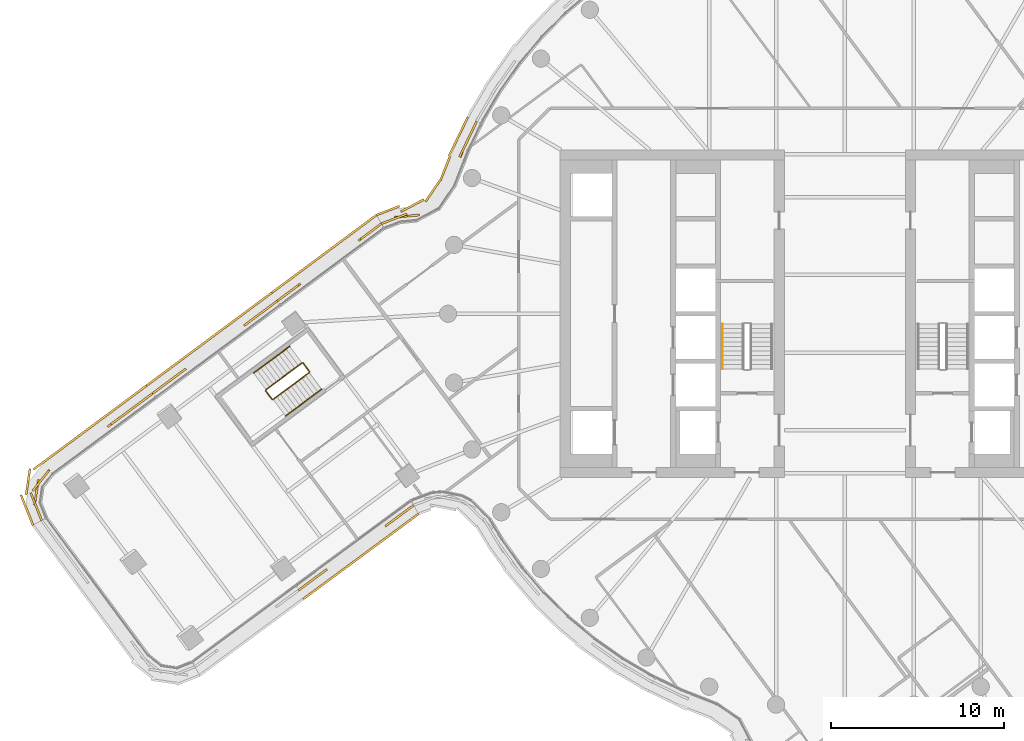
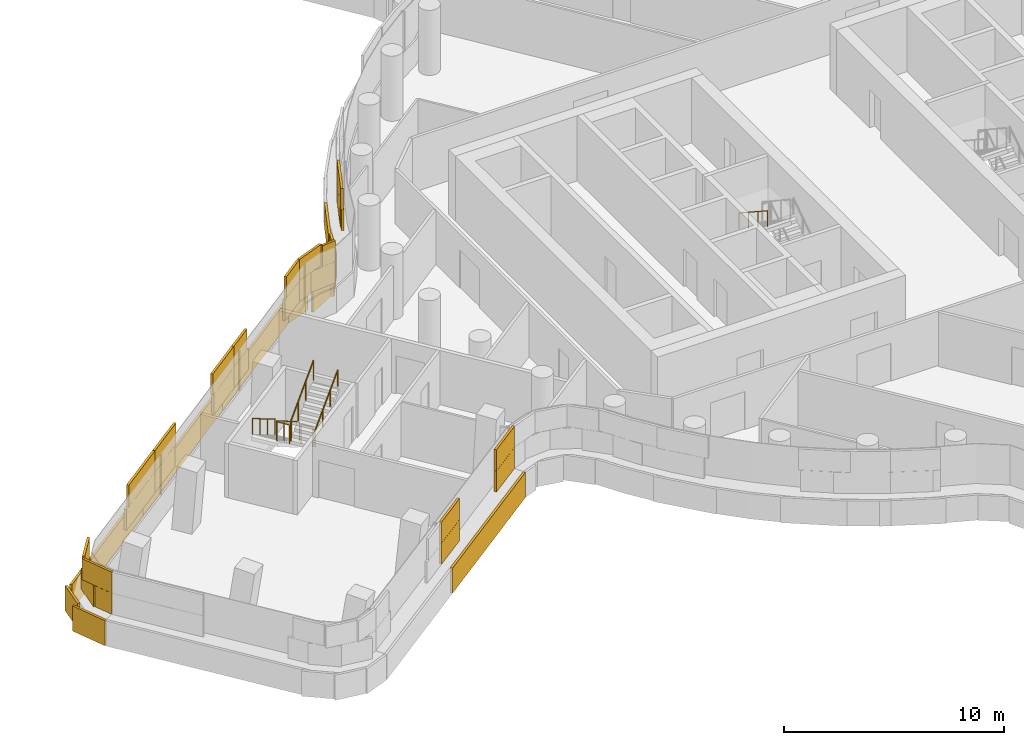
# One storey, part 28 of 32: 7 railings, 5 coverings.
"""IFC4 building model written with IfcOpenShell, lengths in metres."""

from ifc_helpers import new_model, si_unit, direction, frame, origin, origin_2d, place, context, subcontext, project, spatial, rectangle, circle, extrude, material, layer, layer_set, type_object, element, save


model = new_model("IFC4")

# Units and contexts
model_context = context("Model", 3, precision=1e-05, world=origin(), true_north=direction((0.0, 1.0)))
body_context = subcontext(model_context, "Body", "Model", "MODEL_VIEW")
ifc_project = project(units=[si_unit("LENGTHUNIT", "METRE"), si_unit("AREAUNIT", "SQUARE_METRE"), si_unit("VOLUMEUNIT", "CUBIC_METRE"), si_unit("PLANEANGLEUNIT", "RADIAN"), si_unit("MASSUNIT", "GRAM", prefix="KILO")], contexts=[model_context])

# Site, building, storey
site_placement = place(None, origin())
site = spatial("IfcSite", under=ifc_project, at=site_placement, CompositionType="ELEMENT")
building_placement = place(site_placement, origin())
building = spatial("IfcBuilding", under=site, at=building_placement, Name="Tamarind Cross Interchange Tower", CompositionType="ELEMENT")
storey_placement = place(building_placement, frame((0.0, 0.0, 166.75)))
storey = spatial("IfcBuildingStorey", under=building, at=storey_placement, Name="L41", CompositionType="ELEMENT", Elevation=166.75)

# Railings
ifc_material_1 = material(Name="Stair guard")
railing_type_1 = type_object("IfcRailingType", Name="Stair guard", PredefinedType="GUARDRAIL", material=ifc_material_1)
railing_1_placement = place(storey_placement, frame((-31.465087890625, -2.85009765625, 0.17041015625)))
element("IfcRailing", 1, at=railing_1_placement, inside=storey, type_object=railing_type_1, Name="L41 ST5 stair guard 1", PredefinedType="GUARDRAIL", context=body_context, shape_type="SweptSolid", body=[
    extrude(circle(Radius=0.02392578125, at=origin_2d()), frame((0.0, 0.0, 1.076171875), z_axis=(-0.671653146328, -0.498262505957, 0.548285077477), x_axis=(0.595800035821, -0.803132814244, 0.0)), (0.0, 0.0, 1.0), 3.10888671875),
    extrude(circle(Radius=0.02099609375, at=origin_2d()), origin(), (0.0, 0.0, 1.0), 1.052001953125),
    extrude(circle(Radius=0.02099609375, at=origin_2d()), frame((-0.696044921875, -0.516357421875, 0.568115234375)), (0.0, 0.0, 1.0), 1.052001953125),
    extrude(circle(Radius=0.02099609375, at=origin_2d()), frame((-1.39208984375, -1.03271484375, 1.136474609375)), (0.0, 0.0, 1.0), 1.052001953125),
    extrude(circle(Radius=0.02099609375, at=origin_2d()), frame((-2.088134765625, -1.549072265625, 1.70458984375)), (0.0, 0.0, 1.0), 1.052001953125),
])
railing_2_placement = place(storey_placement, frame((-33.563720703125, -4.46923828125, 1.875)))
element("IfcRailing", 2, at=railing_2_placement, inside=storey, type_object=railing_type_1, Name="L41 ST5 stair guard 2", PredefinedType="GUARDRAIL", context=body_context, shape_type="SweptSolid", body=[
    extrude(circle(Radius=0.02392578125, at=origin_2d()), frame((0.0, 0.0, 1.076171875), z_axis=(0.595889265204, -0.80306661219, 0.0), x_axis=(0.80306661219, 0.595889265204, 0.0)), (0.0, 0.0, 1.0), 0.599853515625),
    extrude(circle(Radius=0.02099609375, at=origin_2d()), origin(), (0.0, 0.0, 1.0), 1.052001953125),
    extrude(circle(Radius=0.02099609375, at=origin_2d()), frame((0.357421875, -0.481689453125, 0.0)), (0.0, 0.0, 1.0), 1.052001953125),
])
railing_3_placement = place(storey_placement, frame((-33.13623046875, -4.96142578125, 2.04541015625)))
element("IfcRailing", 3, at=railing_3_placement, inside=storey, type_object=railing_type_1, Name="L41 ST5 stair guard 3", PredefinedType="GUARDRAIL", context=body_context, shape_type="SweptSolid", body=[
    extrude(circle(Radius=0.02392578125, at=origin_2d()), frame((0.0, 0.0, 1.076171875), z_axis=(0.671653146328, 0.498262505957, 0.548285077477), x_axis=(-0.595800035821, 0.803132814244, 0.0)), (0.0, 0.0, 1.0), 3.10888671875),
    extrude(circle(Radius=0.02099609375, at=origin_2d()), origin(), (0.0, 0.0, 1.0), 1.052001953125),
    extrude(circle(Radius=0.02099609375, at=origin_2d()), frame((0.696044921875, 0.516357421875, 0.568115234375)), (0.0, 0.0, 1.0), 1.052001953125),
    extrude(circle(Radius=0.02099609375, at=origin_2d()), frame((1.39208984375, 1.03271484375, 1.136474609375)), (0.0, 0.0, 1.0), 1.052001953125),
    extrude(circle(Radius=0.02099609375, at=origin_2d()), frame((2.088134765625, 1.549072265625, 1.70458984375)), (0.0, 0.0, 1.0), 1.052001953125),
])
railing_4_placement = place(storey_placement, frame((-31.395263671875, -2.860595703125, 0.0)))
element("IfcRailing", 4, at=railing_4_placement, inside=storey, type_object=railing_type_1, Name="L41 ST5 stair guard 4", PredefinedType="GUARDRAIL", context=body_context, shape_type="SweptSolid", body=[
    extrude(circle(Radius=0.02392578125, at=origin_2d()), frame((0.0, 0.0, 1.076171875), z_axis=(0.595694532571, -0.803211070557, 0.0), x_axis=(0.803211070557, 0.595694532571, 0.0)), (0.0, 0.0, 1.0), 0.60009765625),
    extrude(circle(Radius=0.02099609375, at=origin_2d()), origin(), (0.0, 0.0, 1.0), 1.052001953125),
    extrude(circle(Radius=0.02099609375, at=origin_2d()), frame((0.357421875, -0.48193359375, 0.0)), (0.0, 0.0, 1.0), 1.052001953125),
])
ifc_material_2 = material(Name="Stair handrail")
railing_type_2 = type_object("IfcRailingType", Name="Stair handrail", PredefinedType="HANDRAIL", material=ifc_material_2)
railing_5_placement = place(storey_placement, frame((-7.10009765625, -0.60009765625, 2.04541015625)))
element("IfcRailing", 5, at=railing_5_placement, inside=storey, type_object=railing_type_2, Name="L41 ST1 stair handrail 2", PredefinedType="HANDRAIL", context=body_context, shape_type="SweptSolid", body=[
    extrude(circle(Radius=0.02392578125, at=origin_2d()), frame((0.0, 0.0, 0.8759765625), z_axis=(0.0, -0.836278606002, 0.548304744775), x_axis=(1.0, 0.0, 0.0)), (0.0, 0.0, 1.0), 3.10888671875),
    extrude(circle(Radius=0.02099609375, at=origin_2d()), origin(), (0.0, 0.0, 1.0), 0.851806640625),
    extrude(circle(Radius=0.02099609375, at=origin_2d()), frame((0.0, -0.86669921875, 0.568115234375)), (0.0, 0.0, 1.0), 0.851806640625),
    extrude(circle(Radius=0.02099609375, at=origin_2d()), frame((0.0, -1.733154296875, 1.136474609375)), (0.0, 0.0, 1.0), 0.851806640625),
    extrude(circle(Radius=0.02099609375, at=origin_2d()), frame((0.0, -2.599853515625, 1.70458984375)), (0.0, 0.0, 1.0), 0.851806640625),
])
railing_6_placement = place(storey_placement, frame((-32.18017578125, -1.886474609375, 0.17041015625)))
element("IfcRailing", 6, at=railing_6_placement, inside=storey, type_object=railing_type_2, Name="L41 ST5 stair handrail 1", PredefinedType="HANDRAIL", context=body_context, shape_type="SweptSolid", body=[
    extrude(circle(Radius=0.02392578125, at=origin_2d()), frame((0.0, 0.0, 0.8759765625), z_axis=(-0.671679426071, -0.49820347001, 0.548306530203), x_axis=(0.595739462681, -0.803177746582, 0.0)), (0.0, 0.0, 1.0), 3.10888671875),
    extrude(circle(Radius=0.02099609375, at=origin_2d()), origin(), (0.0, 0.0, 1.0), 0.851806640625),
    extrude(circle(Radius=0.02099609375, at=origin_2d()), frame((-0.696044921875, -0.516357421875, 0.568115234375)), (0.0, 0.0, 1.0), 0.851806640625),
    extrude(circle(Radius=0.02099609375, at=origin_2d()), frame((-1.39208984375, -1.032470703125, 1.136474609375)), (0.0, 0.0, 1.0), 0.851806640625),
    extrude(circle(Radius=0.02099609375, at=origin_2d()), frame((-2.088134765625, -1.548828125, 1.70458984375)), (0.0, 0.0, 1.0), 0.851806640625),
])
railing_7_placement = place(storey_placement, frame((-32.42138671875, -5.92529296875, 2.04541015625)))
element("IfcRailing", 7, at=railing_7_placement, inside=storey, type_object=railing_type_2, Name="L41 ST5 stair handrail 2", PredefinedType="HANDRAIL", context=body_context, shape_type="SweptSolid", body=[
    extrude(circle(Radius=0.02392578125, at=origin_2d()), frame((0.0, 0.0, 0.8759765625), z_axis=(0.671653146328, 0.498262505957, 0.548285077477), x_axis=(-0.595800035821, 0.803132814244, 0.0)), (0.0, 0.0, 1.0), 3.10888671875),
    extrude(circle(Radius=0.02099609375, at=origin_2d()), origin(), (0.0, 0.0, 1.0), 0.851806640625),
    extrude(circle(Radius=0.02099609375, at=origin_2d()), frame((0.696044921875, 0.516357421875, 0.568115234375)), (0.0, 0.0, 1.0), 0.851806640625),
    extrude(circle(Radius=0.02099609375, at=origin_2d()), frame((1.39208984375, 1.03271484375, 1.136474609375)), (0.0, 0.0, 1.0), 0.851806640625),
    extrude(circle(Radius=0.02099609375, at=origin_2d()), frame((2.088134765625, 1.549072265625, 1.70458984375)), (0.0, 0.0, 1.0), 0.851806640625),
])

# Coverings
ifc_material_3 = material(Name="Terracotta", Category="masonry")
ifc_layer = layer(ifc_material_3, 0.1201171875)
ifc_layer_set = layer_set([ifc_layer], Name="Terracotta")
covering_type = type_object("IfcCoveringType", Name="Terracotta baguette screen unit", PredefinedType="MOLDING", material=ifc_layer_set)
covering_1_placement = place(storey_placement, origin())
element("IfcCovering", 8, at=covering_1_placement, inside=storey, type_object=covering_type, Name="SCR-L41-06-01", PredefinedType="MOLDING", context=body_context, shape_type="SweptSolid", body=[
    extrude(rectangle(XDim=0.433349609375, YDim=0.1201171875, at=origin_2d()), frame((-21.4404296875, 10.941650390625, 1.404052734375), z_axis=(0.0, 0.0, 1.0), x_axis=(-0.435326231914, -0.900272776334, 0.0)), (0.0, 0.0, 1.0), 1.1669921875),
    extrude(rectangle(XDim=1.52001953125, YDim=0.1201171875, at=origin_2d()), frame((-21.859130859375, 10.075927734375, 1.404052734375), z_axis=(0.0, 0.0, 1.0), x_axis=(-0.435326231914, -0.900272776334, 0.0)), (0.0, 0.0, 1.0), 1.1669921875),
    extrude(rectangle(XDim=0.3603515625, YDim=0.1201171875, at=origin_2d()), frame((-22.2353515625, 9.2314453125, 1.404052734375), z_axis=(0.0, 0.0, 1.0), x_axis=(-0.364846401733, -0.931067722103, 0.0)), (0.0, 0.0, 1.0), 1.1669921875),
    extrude(rectangle(XDim=1.45947265625, YDim=0.1201171875, at=origin_2d()), frame((-25.38720703125, 5.656005859375, 1.404052734375), z_axis=(0.0, 0.0, 1.0), x_axis=(-0.995868287026, -0.090809442771, 0.0)), (0.0, 0.0, 1.0), 1.1669921875),
    extrude(rectangle(XDim=0.834228515625, YDim=0.1201171875, at=origin_2d()), frame((-26.4765625, 5.368408203125, 1.404052734375), z_axis=(0.0, 0.0, 1.0), x_axis=(-0.934272399996, -0.35656006872, 0.0)), (0.0, 0.0, 1.0), 1.1669921875),
    extrude(rectangle(XDim=1.183349609375, YDim=0.1201171875, at=origin_2d()), frame((-21.603759765625, 10.60400390625, 2.5791015625), z_axis=(0.0, 0.0, 1.0), x_axis=(-0.435326231914, -0.900272776334, 0.0)), (0.0, 0.0, 1.0), 1.1669921875),
    extrude(rectangle(XDim=1.1103515625, YDim=0.1201171875, at=origin_2d()), frame((-22.0986328125, 9.58056640625, 2.5791015625), z_axis=(0.0, 0.0, 1.0), x_axis=(-0.435326231914, -0.900272776334, 0.0)), (0.0, 0.0, 1.0), 1.1669921875),
    extrude(rectangle(XDim=0.70947265625, YDim=0.1201171875, at=origin_2d()), frame((-25.013671875, 5.68994140625, 2.5791015625), z_axis=(0.0, 0.0, 1.0), x_axis=(-0.995868287026, -0.090809442771, 0.0)), (0.0, 0.0, 1.0), 1.1669921875),
    extrude(rectangle(XDim=1.52001953125, YDim=0.1201171875, at=origin_2d()), frame((-26.091552734375, 5.515380859375, 2.5791015625), z_axis=(0.0, 0.0, 1.0), x_axis=(-0.934272399996, -0.35656006872, 0.0)), (0.0, 0.0, 1.0), 1.1669921875),
    extrude(rectangle(XDim=0.084228515625, YDim=0.1201171875, at=origin_2d()), frame((-26.826904296875, 5.234619140625, 2.5791015625), z_axis=(0.0, 0.0, 1.0), x_axis=(-0.934272399996, -0.35656006872, 0.0)), (0.0, 0.0, 1.0), 1.1669921875),
    extrude(rectangle(XDim=1.000732421875, YDim=0.1201171875, at=origin_2d()), frame((-22.0751953125, 10.947509765625, 0.00390625), z_axis=(0.0, 0.0, 1.0), x_axis=(-0.435326231914, -0.900272776334, 0.0)), (0.0, 0.0, 1.0), 1.39208984375),
    extrude(rectangle(XDim=1.52001953125, YDim=0.1201171875, at=origin_2d()), frame((-22.615234375, 9.830810546875, 0.00390625), z_axis=(0.0, 0.0, 1.0), x_axis=(-0.435326231914, -0.900272776334, 0.0)), (0.0, 0.0, 1.0), 1.39208984375),
    extrude(rectangle(XDim=1.52001953125, YDim=0.1201171875, at=origin_2d()), frame((-23.1640625, 8.434814453125, 0.00390625), z_axis=(0.0, 0.0, 1.0), x_axis=(-0.364846401733, -0.931067722103, 0.0)), (0.0, 0.0, 1.0), 1.39208984375),
    extrude(rectangle(XDim=1.52001953125, YDim=0.1201171875, at=origin_2d()), frame((-23.880126953125, 7.127685546875, 0.00390625), z_axis=(0.0, 0.0, 1.0), x_axis=(-0.564663579204, -0.825321175253, 0.0)), (0.0, 0.0, 1.0), 1.39208984375),
    extrude(rectangle(XDim=1.52001953125, YDim=0.1201171875, at=origin_2d()), frame((-25.068115234375, 6.27099609375, 0.00390625), z_axis=(0.0, 0.0, 1.0), x_axis=(-0.883122112078, -0.469143192596, 0.0)), (0.0, 0.0, 1.0), 1.39208984375),
    extrude(rectangle(XDim=1.421630859375, YDim=0.1201171875, at=origin_2d()), frame((-26.47607421875, 5.98291015625, 0.00390625), z_axis=(0.0, 0.0, 1.0), x_axis=(-0.934272399996, -0.35656006872, 0.0)), (0.0, 0.0, 1.0), 1.39208984375),
])
covering_2_placement = place(storey_placement, origin())
element("IfcCovering", 9, at=covering_2_placement, inside=storey, type_object=covering_type, Name="SCR-L41-07-00", PredefinedType="MOLDING", context=body_context, shape_type="SweptSolid", body=[
    extrude(rectangle(XDim=0.760009765625, YDim=0.1201171875, at=origin_2d()), frame((-27.162841796875, 4.998046875, 1.404052734375), z_axis=(0.0, 0.0, 1.0), x_axis=(-0.803150344752, -0.595776404136, 0.0)), (0.0, 0.0, 1.0), 1.1669921875),
    extrude(rectangle(XDim=0.91064453125, YDim=0.1201171875, at=origin_2d()), frame((-27.82568359375, 4.50634765625, 1.404052734375), z_axis=(0.0, 0.0, 1.0), x_axis=(-0.803150344752, -0.595776404136, 0.0)), (0.0, 0.0, 1.0), 1.1669921875),
    extrude(rectangle(XDim=0.909423828125, YDim=0.1201171875, at=origin_2d()), frame((-31.921630859375, 1.4677734375, 1.404052734375), z_axis=(0.0, 0.0, 1.0), x_axis=(-0.803150344752, -0.595776404136, 0.0)), (0.0, 0.0, 1.0), 1.1669921875),
    extrude(rectangle(XDim=0.761474609375, YDim=0.1201171875, at=origin_2d()), frame((-32.584716796875, 0.97607421875, 1.404052734375), z_axis=(0.0, 0.0, 1.0), x_axis=(-0.803150344752, -0.595776404136, 0.0)), (0.0, 0.0, 1.0), 1.1669921875),
    extrude(rectangle(XDim=1.510009765625, YDim=0.1201171875, at=origin_2d()), frame((-27.4638671875, 4.774658203125, 2.5791015625), z_axis=(0.0, 0.0, 1.0), x_axis=(-0.803150344752, -0.595776404136, 0.0)), (0.0, 0.0, 1.0), 1.1669921875),
    extrude(rectangle(XDim=1.52001953125, YDim=0.1201171875, at=origin_2d()), frame((-32.282958984375, 1.199951171875, 2.5791015625), z_axis=(0.0, 0.0, 1.0), x_axis=(-0.803150344752, -0.595776404136, 0.0)), (0.0, 0.0, 1.0), 1.1669921875),
    extrude(rectangle(XDim=0.760009765625, YDim=0.1201171875, at=origin_2d()), frame((-27.4453125, 5.503173828125, 0.00390625), z_axis=(0.0, 0.0, 1.0), x_axis=(-0.803150344752, -0.595776404136, 0.0)), (0.0, 0.0, 1.0), 1.39208984375),
    extrude(rectangle(XDim=1.52001953125, YDim=0.1201171875, at=origin_2d()), frame((-28.3447265625, 4.8359375, 0.00390625), z_axis=(0.0, 0.0, 1.0), x_axis=(-0.803150344752, -0.595776404136, 0.0)), (0.0, 0.0, 1.0), 1.39208984375),
    extrude(rectangle(XDim=1.52001953125, YDim=0.1201171875, at=origin_2d()), frame((-29.549560546875, 3.942138671875, 0.00390625), z_axis=(0.0, 0.0, 1.0), x_axis=(-0.803150344752, -0.595776404136, 0.0)), (0.0, 0.0, 1.0), 1.39208984375),
    extrude(rectangle(XDim=1.52001953125, YDim=0.1201171875, at=origin_2d()), frame((-30.75439453125, 3.048583984375, 0.00390625), z_axis=(0.0, 0.0, 1.0), x_axis=(-0.803150344752, -0.595776404136, 0.0)), (0.0, 0.0, 1.0), 1.39208984375),
    extrude(rectangle(XDim=1.52001953125, YDim=0.1201171875, at=origin_2d()), frame((-31.958984375, 2.15478515625, 0.00390625), z_axis=(0.0, 0.0, 1.0), x_axis=(-0.803150344752, -0.595776404136, 0.0)), (0.0, 0.0, 1.0), 1.39208984375),
    extrude(rectangle(XDim=0.809814453125, YDim=0.1201171875, at=origin_2d()), frame((-32.87841796875, 1.47265625, 0.00390625), z_axis=(0.0, 0.0, 1.0), x_axis=(-0.803150344752, -0.595776404136, 0.0)), (0.0, 0.0, 1.0), 1.39208984375),
])
covering_3_placement = place(storey_placement, origin())
element("IfcCovering", 10, at=covering_3_placement, inside=storey, type_object=covering_type, Name="SCR-L41-07-01", PredefinedType="MOLDING", context=body_context, shape_type="SweptSolid", body=[
    extrude(rectangle(XDim=0.758544921875, YDim=0.1201171875, at=origin_2d()), frame((-33.18701171875, 0.529296875, 1.404052734375), z_axis=(0.0, 0.0, 1.0), x_axis=(-0.803150344752, -0.595776404136, 0.0)), (0.0, 0.0, 1.0), 1.1669921875),
    extrude(rectangle(XDim=1.52001953125, YDim=0.1201171875, at=origin_2d()), frame((-34.08984375, -0.140625, 1.404052734375), z_axis=(0.0, 0.0, 1.0), x_axis=(-0.803150344752, -0.595776404136, 0.0)), (0.0, 0.0, 1.0), 1.1669921875),
    extrude(rectangle(XDim=1.52001953125, YDim=0.1201171875, at=origin_2d()), frame((-38.908935546875, -3.71533203125, 1.404052734375), z_axis=(0.0, 0.0, 1.0), x_axis=(-0.803150344752, -0.595776404136, 0.0)), (0.0, 0.0, 1.0), 1.1669921875),
    extrude(rectangle(XDim=0.7705078125, YDim=0.1201171875, at=origin_2d()), frame((-39.816650390625, -4.388671875, 1.404052734375), z_axis=(0.0, 0.0, 1.0), x_axis=(-0.803150344752, -0.595776404136, 0.0)), (0.0, 0.0, 1.0), 1.1669921875),
    extrude(rectangle(XDim=1.508544921875, YDim=0.1201171875, at=origin_2d()), frame((-33.488037109375, 0.305908203125, 2.5791015625), z_axis=(0.0, 0.0, 1.0), x_axis=(-0.803150344752, -0.595776404136, 0.0)), (0.0, 0.0, 1.0), 1.1669921875),
    extrude(rectangle(XDim=0.916015625, YDim=0.1201171875, at=origin_2d()), frame((-34.453857421875, -0.410400390625, 2.5791015625), z_axis=(0.0, 0.0, 1.0), x_axis=(-0.803150344752, -0.595776404136, 0.0)), (0.0, 0.0, 1.0), 1.1669921875),
    extrude(rectangle(XDim=0.904052734375, YDim=0.1201171875, at=origin_2d()), frame((-38.5498046875, -3.448974609375, 2.5791015625), z_axis=(0.0, 0.0, 1.0), x_axis=(-0.803150344752, -0.595776404136, 0.0)), (0.0, 0.0, 1.0), 1.1669921875),
    extrude(rectangle(XDim=1.52001953125, YDim=0.1201171875, at=origin_2d()), frame((-39.51123046875, -4.162109375, 2.5791015625), z_axis=(0.0, 0.0, 1.0), x_axis=(-0.803150344752, -0.595776404136, 0.0)), (0.0, 0.0, 1.0), 1.1669921875),
    extrude(rectangle(XDim=0.710205078125, YDim=0.1201171875, at=origin_2d()), frame((-33.489013671875, 1.02001953125, 0.00390625), z_axis=(0.0, 0.0, 1.0), x_axis=(-0.803150344752, -0.595776404136, 0.0)), (0.0, 0.0, 1.0), 1.39208984375),
    extrude(rectangle(XDim=1.52001953125, YDim=0.1201171875, at=origin_2d()), frame((-34.368408203125, 0.367431640625, 0.00390625), z_axis=(0.0, 0.0, 1.0), x_axis=(-0.803150344752, -0.595776404136, 0.0)), (0.0, 0.0, 1.0), 1.39208984375),
    extrude(rectangle(XDim=1.52001953125, YDim=0.1201171875, at=origin_2d()), frame((-35.5732421875, -0.526123046875, 0.00390625), z_axis=(0.0, 0.0, 1.0), x_axis=(-0.803150344752, -0.595776404136, 0.0)), (0.0, 0.0, 1.0), 1.39208984375),
    extrude(rectangle(XDim=1.52001953125, YDim=0.1201171875, at=origin_2d()), frame((-36.77783203125, -1.419921875, 0.00390625), z_axis=(0.0, 0.0, 1.0), x_axis=(-0.803150344752, -0.595776404136, 0.0)), (0.0, 0.0, 1.0), 1.39208984375),
    extrude(rectangle(XDim=1.52001953125, YDim=0.1201171875, at=origin_2d()), frame((-37.982666015625, -2.3134765625, 0.00390625), z_axis=(0.0, 0.0, 1.0), x_axis=(-0.803150344752, -0.595776404136, 0.0)), (0.0, 0.0, 1.0), 1.39208984375),
    extrude(rectangle(XDim=1.52001953125, YDim=0.1201171875, at=origin_2d()), frame((-39.187255859375, -3.207275390625, 0.00390625), z_axis=(0.0, 0.0, 1.0), x_axis=(-0.803150344752, -0.595776404136, 0.0)), (0.0, 0.0, 1.0), 1.39208984375),
    extrude(rectangle(XDim=0.876953125, YDim=0.1201171875, at=origin_2d()), frame((-40.1337890625, -3.9091796875, 0.00390625), z_axis=(0.0, 0.0, 1.0), x_axis=(-0.803150344752, -0.595776404136, 0.0)), (0.0, 0.0, 1.0), 1.39208984375),
])
covering_4_placement = place(storey_placement, origin())
element("IfcCovering", 11, at=covering_4_placement, inside=storey, type_object=covering_type, Name="SCR-L41-07-02", PredefinedType="MOLDING", context=body_context, shape_type="SweptSolid", body=[
    extrude(rectangle(XDim=0.74951171875, YDim=0.1201171875, at=origin_2d()), frame((-40.4189453125, -4.83544921875, 1.404052734375), z_axis=(0.0, 0.0, 1.0), x_axis=(-0.803150344752, -0.595776404136, 0.0)), (0.0, 0.0, 1.0), 1.1669921875),
    extrude(rectangle(XDim=1.52001953125, YDim=0.1201171875, at=origin_2d()), frame((-41.318359375, -5.502685546875, 1.404052734375), z_axis=(0.0, 0.0, 1.0), x_axis=(-0.803150344752, -0.595776404136, 0.0)), (0.0, 0.0, 1.0), 1.1669921875),
    extrude(rectangle(XDim=1.017822265625, YDim=0.1201171875, at=origin_2d()), frame((-42.325439453125, -6.24951171875, 1.404052734375), z_axis=(0.0, 0.0, 1.0), x_axis=(-0.803150344752, -0.595776404136, 0.0)), (0.0, 0.0, 1.0), 1.1669921875),
    extrude(rectangle(XDim=0.80224609375, YDim=0.1201171875, at=origin_2d()), frame((-46.353515625, -9.3583984375, 1.404052734375), z_axis=(0.0, 0.0, 1.0), x_axis=(-0.621585380376, -0.783346420751, 0.0)), (0.0, 0.0, 1.0), 1.1669921875),
    extrude(rectangle(XDim=1.52001953125, YDim=0.1201171875, at=origin_2d()), frame((-46.852294921875, -10.3486328125, 1.404052734375), z_axis=(0.0, 0.0, 1.0), x_axis=(-0.146635519651, -0.989190590522, 0.0)), (0.0, 0.0, 1.0), 1.1669921875),
    extrude(rectangle(XDim=0.965087890625, YDim=0.1201171875, at=origin_2d()), frame((-46.72705078125, -11.52783203125, 1.404052734375), z_axis=(0.0, 0.0, 1.0), x_axis=(0.367605210146, -0.929981940402, 0.0)), (0.0, 0.0, 1.0), 1.1669921875),
    extrude(rectangle(XDim=1.49951171875, YDim=0.1201171875, at=origin_2d()), frame((-40.72021484375, -5.058837890625, 2.5791015625), z_axis=(0.0, 0.0, 1.0), x_axis=(-0.803150344752, -0.595776404136, 0.0)), (0.0, 0.0, 1.0), 1.1669921875),
    extrude(rectangle(XDim=1.52001953125, YDim=0.1201171875, at=origin_2d()), frame((-41.920654296875, -5.949462890625, 2.5791015625), z_axis=(0.0, 0.0, 1.0), x_axis=(-0.803150344752, -0.595776404136, 0.0)), (0.0, 0.0, 1.0), 1.1669921875),
    extrude(rectangle(XDim=1.52001953125, YDim=0.1201171875, at=origin_2d()), frame((-46.599609375, -9.668701171875, 2.5791015625), z_axis=(0.0, 0.0, 1.0), x_axis=(-0.621585380376, -0.783346420751, 0.0)), (0.0, 0.0, 1.0), 1.1669921875),
    extrude(rectangle(XDim=1.52001953125, YDim=0.1201171875, at=origin_2d()), frame((-46.902587890625, -11.083740234375, 2.5791015625), z_axis=(0.0, 0.0, 1.0), x_axis=(0.367605210146, -0.929981940402, 0.0)), (0.0, 0.0, 1.0), 1.1669921875),
    extrude(rectangle(XDim=0.215087890625, YDim=0.1201171875, at=origin_2d()), frame((-46.589111328125, -11.876708984375, 2.5791015625), z_axis=(0.0, 0.0, 1.0), x_axis=(0.367605210146, -0.929981940402, 0.0)), (0.0, 0.0, 1.0), 1.1669921875),
    extrude(rectangle(XDim=0.64306640625, YDim=0.1201171875, at=origin_2d()), frame((-40.744140625, -4.362060546875, 0.00390625), z_axis=(0.0, 0.0, 1.0), x_axis=(-0.803150344752, -0.595776404136, 0.0)), (0.0, 0.0, 1.0), 1.39208984375),
    extrude(rectangle(XDim=1.52001953125, YDim=0.1201171875, at=origin_2d()), frame((-41.596923828125, -4.994384765625, 0.00390625), z_axis=(0.0, 0.0, 1.0), x_axis=(-0.803150344752, -0.595776404136, 0.0)), (0.0, 0.0, 1.0), 1.39208984375),
    extrude(rectangle(XDim=1.52001953125, YDim=0.1201171875, at=origin_2d()), frame((-42.801513671875, -5.88818359375, 0.00390625), z_axis=(0.0, 0.0, 1.0), x_axis=(-0.803150344752, -0.595776404136, 0.0)), (0.0, 0.0, 1.0), 1.39208984375),
    extrude(rectangle(XDim=1.52001953125, YDim=0.1201171875, at=origin_2d()), frame((-44.00634765625, -6.78173828125, 0.00390625), z_axis=(0.0, 0.0, 1.0), x_axis=(-0.803150344752, -0.595776404136, 0.0)), (0.0, 0.0, 1.0), 1.39208984375),
    extrude(rectangle(XDim=1.52001953125, YDim=0.1201171875, at=origin_2d()), frame((-45.2109375, -7.675537109375, 0.00390625), z_axis=(0.0, 0.0, 1.0), x_axis=(-0.803150344752, -0.595776404136, 0.0)), (0.0, 0.0, 1.0), 1.39208984375),
    extrude(rectangle(XDim=1.52001953125, YDim=0.1201171875, at=origin_2d()), frame((-46.415771484375, -8.569091796875, 0.00390625), z_axis=(0.0, 0.0, 1.0), x_axis=(-0.803150344752, -0.595776404136, 0.0)), (0.0, 0.0, 1.0), 1.39208984375),
    extrude(rectangle(XDim=1.52001953125, YDim=0.1201171875, at=origin_2d()), frame((-47.34130859375, -9.732666015625, 0.00390625), z_axis=(0.0, 0.0, 1.0), x_axis=(-0.146635519651, -0.989190590522, 0.0)), (0.0, 0.0, 1.0), 1.39208984375),
    extrude(rectangle(XDim=1.52001953125, YDim=0.1201171875, at=origin_2d()), frame((-47.471435546875, -11.2060546875, 0.00390625), z_axis=(0.0, 0.0, 1.0), x_axis=(0.367605210146, -0.929981940402, 0.0)), (0.0, 0.0, 1.0), 1.39208984375),
    extrude(rectangle(XDim=0.385986328125, YDim=0.1201171875, at=origin_2d()), frame((-47.12841796875, -12.07373046875, 0.00390625), z_axis=(0.0, 0.0, 1.0), x_axis=(0.367605210146, -0.929981940402, 0.0)), (0.0, 0.0, 1.0), 1.39208984375),
])
covering_5_placement = place(storey_placement, origin())
element("IfcCovering", 12, at=covering_5_placement, inside=storey, type_object=covering_type, Name="SCR-L41-09-01", PredefinedType="MOLDING", context=body_context, shape_type="SweptSolid", body=[
    extrude(rectangle(XDim=0.79931640625, YDim=0.1201171875, at=origin_2d()), frame((-31.35205078125, -15.788818359375, 1.404052734375), z_axis=(0.0, 0.0, 1.0), x_axis=(0.804598427384, 0.593819308082, 0.0)), (0.0, 0.0, 1.0), 1.1669921875),
    extrude(rectangle(XDim=1.270751953125, YDim=0.1201171875, at=origin_2d()), frame((-30.52734375, -15.18017578125, 1.404052734375), z_axis=(0.0, 0.0, 1.0), x_axis=(0.804598427384, 0.593819308082, 0.0)), (0.0, 0.0, 1.0), 1.1669921875),
    extrude(rectangle(XDim=0.549072265625, YDim=0.1201171875, at=origin_2d()), frame((-26.423828125, -12.151611328125, 1.404052734375), z_axis=(0.0, 0.0, 1.0), x_axis=(0.804598427384, 0.593819308082, 0.0)), (0.0, 0.0, 1.0), 1.1669921875),
    extrude(rectangle(XDim=1.52001953125, YDim=0.1201171875, at=origin_2d()), frame((-25.603515625, -11.546142578125, 1.404052734375), z_axis=(0.0, 0.0, 1.0), x_axis=(0.804598427384, 0.593819308082, 0.0)), (0.0, 0.0, 1.0), 1.1669921875),
    extrude(rectangle(XDim=0.04931640625, YDim=0.1201171875, at=origin_2d()), frame((-31.65380859375, -16.011474609375, 2.5791015625), z_axis=(0.0, 0.0, 1.0), x_axis=(0.804598427384, 0.593819308082, 0.0)), (0.0, 0.0, 1.0), 1.1669921875),
    extrude(rectangle(XDim=1.52001953125, YDim=0.1201171875, at=origin_2d()), frame((-31.03466796875, -15.554443359375, 2.5791015625), z_axis=(0.0, 0.0, 1.0), x_axis=(0.804598427384, 0.593819308082, 0.0)), (0.0, 0.0, 1.0), 1.1669921875),
    extrude(rectangle(XDim=0.520751953125, YDim=0.1201171875, at=origin_2d()), frame((-30.2255859375, -14.95751953125, 2.5791015625), z_axis=(0.0, 0.0, 1.0), x_axis=(0.804598427384, 0.593819308082, 0.0)), (0.0, 0.0, 1.0), 1.1669921875),
    extrude(rectangle(XDim=1.299072265625, YDim=0.1201171875, at=origin_2d()), frame((-26.1220703125, -11.928955078125, 2.5791015625), z_axis=(0.0, 0.0, 1.0), x_axis=(0.804598427384, 0.593819308082, 0.0)), (0.0, 0.0, 1.0), 1.1669921875),
    extrude(rectangle(XDim=0.77099609375, YDim=0.1201171875, at=origin_2d()), frame((-25.29736328125, -11.3203125, 2.5791015625), z_axis=(0.0, 0.0, 1.0), x_axis=(0.804598427384, 0.593819308082, 0.0)), (0.0, 0.0, 1.0), 1.1669921875),
    extrude(rectangle(XDim=0.801513671875, YDim=0.1201171875, at=origin_2d()), frame((-31.068359375, -16.29296875, 0.00390625), z_axis=(0.0, 0.0, 1.0), x_axis=(0.804598427384, 0.593819308082, 0.0)), (0.0, 0.0, 1.0), 1.39208984375),
    extrude(rectangle(XDim=1.52001953125, YDim=0.1201171875, at=origin_2d()), frame((-30.150390625, -15.615478515625, 0.00390625), z_axis=(0.0, 0.0, 1.0), x_axis=(0.804598427384, 0.593819308082, 0.0)), (0.0, 0.0, 1.0), 1.39208984375),
    extrude(rectangle(XDim=1.52001953125, YDim=0.1201171875, at=origin_2d()), frame((-28.943603515625, -14.724609375, 0.00390625), z_axis=(0.0, 0.0, 1.0), x_axis=(0.804598427384, 0.593819308082, 0.0)), (0.0, 0.0, 1.0), 1.39208984375),
    extrude(rectangle(XDim=1.52001953125, YDim=0.1201171875, at=origin_2d()), frame((-27.736572265625, -13.833984375, 0.00390625), z_axis=(0.0, 0.0, 1.0), x_axis=(0.804598427384, 0.593819308082, 0.0)), (0.0, 0.0, 1.0), 1.39208984375),
    extrude(rectangle(XDim=1.52001953125, YDim=0.1201171875, at=origin_2d()), frame((-26.52978515625, -12.943359375, 0.00390625), z_axis=(0.0, 0.0, 1.0), x_axis=(0.804598427384, 0.593819308082, 0.0)), (0.0, 0.0, 1.0), 1.39208984375),
    extrude(rectangle(XDim=1.52001953125, YDim=0.1201171875, at=origin_2d()), frame((-25.322998046875, -12.052490234375, 0.00390625), z_axis=(0.0, 0.0, 1.0), x_axis=(0.804598427384, 0.593819308082, 0.0)), (0.0, 0.0, 1.0), 1.39208984375),
])

save(model, "model.ifc")
